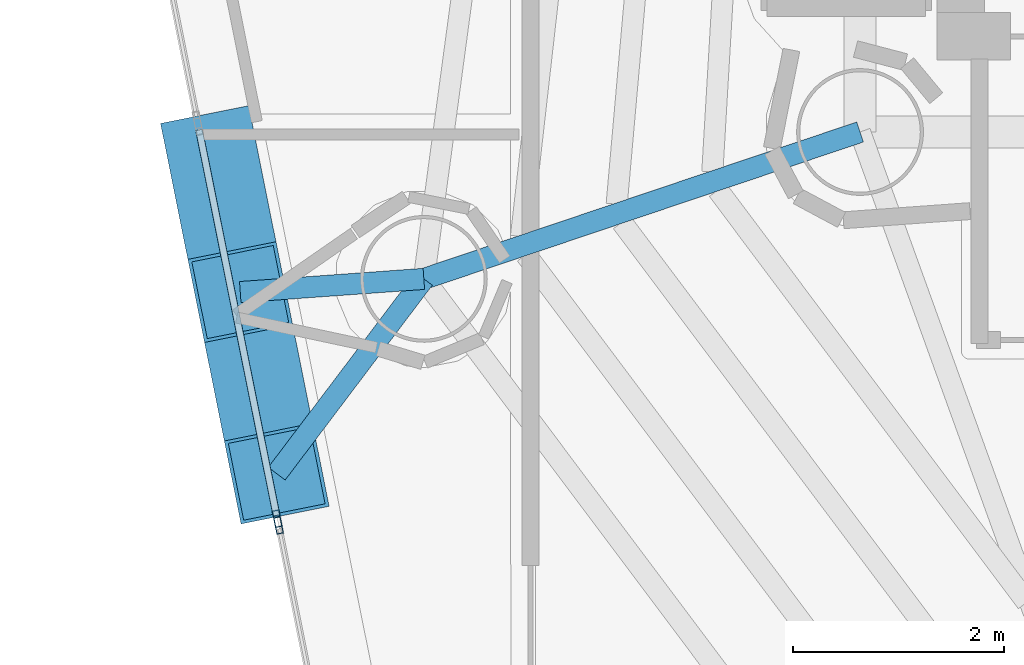
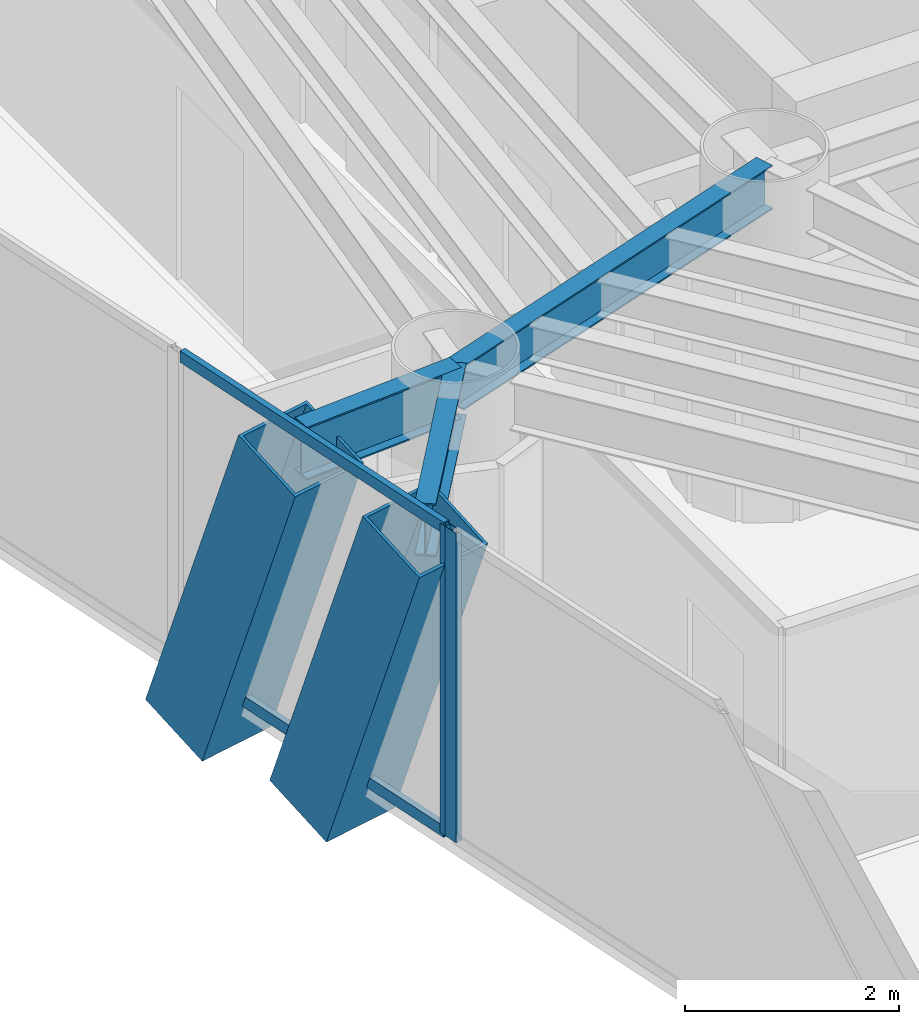
# One storey, part 4 of 22: 6 members, 3 beams, 2 elements without a shape of their own.
"""IFC4 building model written with IfcOpenShell, lengths in metres."""

from ifc_helpers import new_model, si_unit, direction, frame, origin, origin_2d, place, context, subcontext, project, spatial, hollow_rectangle, i_section, extrude, material, layer, layer_set, material_profile, profile_set, type_object, element, aggregate, save


model = new_model("IFC4")

# Units and contexts
model_context = context("Model", 3, precision=1e-05, world=origin(), true_north=direction((0.0, 1.0)))
body_context = subcontext(model_context, "Body", "Model", "MODEL_VIEW")
ifc_project = project(units=[si_unit("LENGTHUNIT", "METRE"), si_unit("AREAUNIT", "SQUARE_METRE"), si_unit("VOLUMEUNIT", "CUBIC_METRE"), si_unit("PLANEANGLEUNIT", "RADIAN"), si_unit("MASSUNIT", "GRAM", prefix="KILO")], contexts=[model_context])

# Site, building, storey
site_placement = place(None, origin())
site = spatial("IfcSite", under=ifc_project, at=site_placement, CompositionType="ELEMENT")
building_placement = place(site_placement, origin())
building = spatial("IfcBuilding", under=site, at=building_placement, Name="Qianvela Tower", CompositionType="ELEMENT")
storey_placement = place(building_placement, frame((0.0, 0.0, 200.300048828125)))
storey = spatial("IfcBuildingStorey", under=building, at=storey_placement, Name="L51", CompositionType="ELEMENT", Elevation=200.300048828125)

# Beams
ifc_material_1 = material(Name="Steel Q355B", Category="steel")
ifc_material_profile_1 = material_profile(ifc_material_1, i_section(OverallWidth=0.199951171875, OverallDepth=0.5, WebThickness=0.010009765625, FlangeThickness=0.01611328125, at=origin_2d()), Name="HN500x200x10x16")
ifc_profile_set_1 = profile_set([ifc_material_profile_1], Name="Steel Q355B")
beam_type_1 = type_object("IfcBeamType", Name="BM-HN500-GIRD", PredefinedType="BEAM", material=ifc_profile_set_1)
beam_1_placement = place(storey_placement, frame((28.60009765625, 23.85009765625, 3.26806640625), z_axis=(-0.947709214586, -0.319135150976, 0.0), x_axis=(0.319135150976, -0.947709214586, 0.0)))
element("IfcBeam", 1, at=beam_1_placement, inside=storey, type_object=beam_type_1, Name="L51 Radial Primary Floor Girder 4", PredefinedType="BEAM", context=body_context, shape_type="SweptSolid", body=[
    extrude(i_section(OverallWidth=0.199951171875, OverallDepth=0.5, WebThickness=0.010009765625, FlangeThickness=0.01611328125, at=origin_2d()), origin(), (0.0, 0.0, 1.0), 4.35595703125),
])
ifc_material_2 = material(Name="Steel Q355B", Category="steel")
ifc_material_profile_2 = material_profile(ifc_material_2, i_section(OverallWidth=0.199951171875, OverallDepth=0.60009765625, WebThickness=0.010986328125, FlangeThickness=0.01708984375, at=origin_2d()), Name="HN600x200x11x17")
ifc_profile_set_2 = profile_set([ifc_material_profile_2], Name="Steel Q355B")
beam_type_2 = type_object("IfcBeamType", Name="BM-HN600-GIRD", PredefinedType="BEAM", material=ifc_profile_set_2)
beam_2_placement = place(storey_placement, frame((24.471923828125, 22.4599609375, 3.218017578125), z_axis=(-0.997432309571, -0.071615555738, 0.0), x_axis=(0.071615555738, -0.997432309571, 0.0)))
element("IfcBeam", 2, at=beam_2_placement, inside=storey, type_object=beam_type_2, Name="L51 Mega-Brace Column Tie Bracket F2-1", PredefinedType="BEAM", context=body_context, shape_type="SweptSolid", body=[
    extrude(i_section(OverallWidth=0.199951171875, OverallDepth=0.60009765625, WebThickness=0.010986328125, FlangeThickness=0.01708984375, at=origin_2d()), origin(), (0.0, 0.0, 1.0), 1.741943359375),
])
beam_3_placement = place(storey_placement, frame((24.471923828125, 22.4599609375, 3.218017578125), z_axis=(-0.602786735915, -0.797902344279, 0.0), x_axis=(0.797902344279, -0.602786735915, 0.0)))
element("IfcBeam", 3, at=beam_3_placement, inside=storey, type_object=beam_type_2, Name="L51 Mega-Brace Column Tie Bracket F2-2", PredefinedType="BEAM", context=body_context, shape_type="SweptSolid", body=[
    extrude(i_section(OverallWidth=0.199951171875, OverallDepth=0.60009765625, WebThickness=0.010986328125, FlangeThickness=0.01708984375, at=origin_2d()), origin(), (0.0, 0.0, 1.0), 2.309814453125),
])

# Curtain wall, members
ifc_material_3 = material(Name="Anodised Architectural Aluminium and Insulated Spandrel Panel", Category="aluminium")
ifc_layer_1 = layer(ifc_material_3, 0.179931640625)
ifc_layer_set_1 = layer_set([ifc_layer_1], Name="Anodised Architectural Aluminium and Insulated Spandrel Panel")
curtain_wall_type_1 = type_object("IfcCurtainWallType", Name="CW-BRACEBAY", PredefinedType="USERDEFINED", material=ifc_layer_set_1)
curtain_wall_1_placement = place(storey_placement, origin())
curtain_wall_1 = element("IfcCurtainWall", 4, at=curtain_wall_1_placement, inside=storey, type_object=curtain_wall_type_1, Name="L51 CW-BRACEBAY Curtain Wall 04B", ObjectType="CURTAIN_WALL_SYSTEM", PredefinedType="USERDEFINED")
ifc_material_4 = material(Name="Anodised Architectural Aluminium 6063-T6", Category="aluminium")
ifc_material_profile_3 = material_profile(ifc_material_4, hollow_rectangle(XDim=0.06494140625, YDim=0.159912109375, WallThickness=0.0048828125, at=origin_2d()), Name="ALU-MULL-65x160")
ifc_profile_set_3 = profile_set([ifc_material_profile_3], Name="Anodised Architectural Aluminium 6063-T6")
member_type_1 = type_object("IfcMemberType", Name="CW-BRACEBAY-MULL", PredefinedType="MULLION", material=ifc_profile_set_3)
member_1_placement = place(storey_placement, frame((23.083740234375, 20.190673828125, 0.0), z_axis=(0.0, 0.0, 1.0), x_axis=(0.980406465968, 0.196985180883, 0.0)))
member_1 = element("IfcMember", 5, at=member_1_placement, type_object=member_type_1, Name="CW-9 mullion 2", PredefinedType="MULLION", context=body_context, shape_type="SweptSolid", body=[
    extrude(hollow_rectangle(XDim=0.06494140625, YDim=0.159912109375, WallThickness=0.0048828125, at=origin_2d()), origin(), (0.0, 0.0, 1.0), 3.52001953125),
])
ifc_material_5 = material(Name="Anodised Architectural Aluminium 6063-T6", Category="aluminium")
ifc_material_profile_4 = material_profile(ifc_material_5, hollow_rectangle(XDim=0.06494140625, YDim=0.1298828125, WallThickness=0.00439453125, at=origin_2d()), Name="ALU-TRAN-65x130")
ifc_profile_set_4 = profile_set([ifc_material_profile_4], Name="Anodised Architectural Aluminium 6063-T6")
member_type_2 = type_object("IfcMemberType", Name="CW-BRACEBAY-TRAN", PredefinedType="USERDEFINED", material=ifc_profile_set_4)
member_2_placement = place(storey_placement, frame((22.344482421875, 23.86962890625, 0.032470703125), z_axis=(0.197012113579, -0.980401054214, 0.0), x_axis=(0.980401054214, 0.197012113579, 0.0)))
member_2 = element("IfcMember", 6, at=member_2_placement, type_object=member_type_2, Name="CW-9 transom 1.1", ObjectType="TRANSOM", PredefinedType="USERDEFINED", context=body_context, shape_type="SweptSolid", body=[
    extrude(hollow_rectangle(XDim=0.06494140625, YDim=0.1298828125, WallThickness=0.00439453125, at=origin_2d()), origin(), (0.0, 0.0, 1.0), 3.72021484375),
])
member_3_placement = place(storey_placement, frame((22.344482421875, 23.86962890625, 3.487548828125), z_axis=(0.197012113579, -0.980401054214, 0.0), x_axis=(0.980401054214, 0.197012113579, 0.0)))
member_3 = element("IfcMember", 7, at=member_3_placement, type_object=member_type_2, Name="CW-9 transom 1.2", ObjectType="TRANSOM", PredefinedType="USERDEFINED", context=body_context, shape_type="SweptSolid", body=[
    extrude(hollow_rectangle(XDim=0.06494140625, YDim=0.1298828125, WallThickness=0.00439453125, at=origin_2d()), origin(), (0.0, 0.0, 1.0), 3.72021484375),
])
aggregate(curtain_wall_1, [member_1, member_2, member_3])

# Curtain wall, member
ifc_material_6 = material(Name="Anodised Architectural Aluminium and Low-E Glass", Category="aluminium")
ifc_layer_2 = layer(ifc_material_6, 0.159912109375)
ifc_layer_set_2 = layer_set([ifc_layer_2], Name="Anodised Architectural Aluminium and Low-E Glass")
curtain_wall_type_2 = type_object("IfcCurtainWallType", Name="CW-COLIV-Z56", PredefinedType="USERDEFINED", material=ifc_layer_set_2)
curtain_wall_2_placement = place(storey_placement, origin())
curtain_wall_2 = element("IfcCurtainWall", 8, at=curtain_wall_2_placement, inside=storey, type_object=curtain_wall_type_2, Name="L51 CW-COLIV-Z56 Curtain Wall 04C", ObjectType="CURTAIN_WALL_SYSTEM", PredefinedType="USERDEFINED")
ifc_material_7 = material(Name="Anodised Architectural Aluminium 6063-T6", Category="aluminium")
ifc_material_profile_5 = material_profile(ifc_material_7, hollow_rectangle(XDim=0.06494140625, YDim=0.159912109375, WallThickness=0.0048828125, at=origin_2d()), Name="ALU-MULL-65x160")
ifc_profile_set_5 = profile_set([ifc_material_profile_5], Name="Anodised Architectural Aluminium 6063-T6")
member_type_3 = type_object("IfcMemberType", Name="CW-COLIV-Z56-MULL", PredefinedType="MULLION", material=ifc_profile_set_5)
member_4_placement = place(storey_placement, frame((23.096435546875, 20.126953125, 0.0), z_axis=(0.0, 0.0, 1.0), x_axis=(0.980407058287, 0.196982232858, 0.0)))
member_4 = element("IfcMember", 9, at=member_4_placement, type_object=member_type_3, Name="CW-5 mullion 1", PredefinedType="MULLION", context=body_context, shape_type="SweptSolid", body=[
    extrude(hollow_rectangle(XDim=0.06494140625, YDim=0.159912109375, WallThickness=0.0048828125, at=origin_2d()), origin(), (0.0, 0.0, 1.0), 3.52001953125),
])
aggregate(curtain_wall_2, [member_4])

# Members
ifc_material_8 = material(Name="Steel Q420GJC", Category="steel")
ifc_material_profile_6 = material_profile(ifc_material_8, hollow_rectangle(XDim=0.85009765625, YDim=0.85009765625, WallThickness=0.031982421875, at=origin_2d()), Name="MBOX-850x850x32")
ifc_profile_set_6 = profile_set([ifc_material_profile_6], Name="Steel Q420GJC")
member_type_4 = type_object("IfcMemberType", Name="MBR-MBRACE-850", PredefinedType="BRACE", material=ifc_profile_set_6)
member_5_placement = place(storey_placement, frame((22.475830078125, 23.622314453125, -0.48193359375), z_axis=(0.065855268581, -0.327846058505, 0.942433045645), x_axis=(0.980415821802, 0.196938610639, 0.0)))
element("IfcMember", 10, at=member_5_placement, inside=storey, type_object=member_type_4, Name="L51 Tier 8 Exterior Mega-Brace F2A", PredefinedType="BRACE", context=body_context, shape_type="SweptSolid", body=[
    extrude(hollow_rectangle(XDim=0.85009765625, YDim=0.85009765625, WallThickness=0.031982421875, at=origin_2d()), origin(), (0.0, 0.0, 1.0), 3.926025390625),
])
member_6_placement = place(storey_placement, frame((22.821044921875, 21.90380859375, -0.48193359375), z_axis=(0.06585661112, -0.327790554499, 0.942452258288), x_axis=(0.980408607149, 0.196974523804, 0.0)))
element("IfcMember", 11, at=member_6_placement, inside=storey, type_object=member_type_4, Name="L51 Tier 8 Exterior Mega-Brace F2B", PredefinedType="BRACE", context=body_context, shape_type="SweptSolid", body=[
    extrude(hollow_rectangle(XDim=0.85009765625, YDim=0.85009765625, WallThickness=0.031982421875, at=origin_2d()), origin(), (0.0, 0.0, 1.0), 3.92578125),
])

save(model, "model.ifc")
